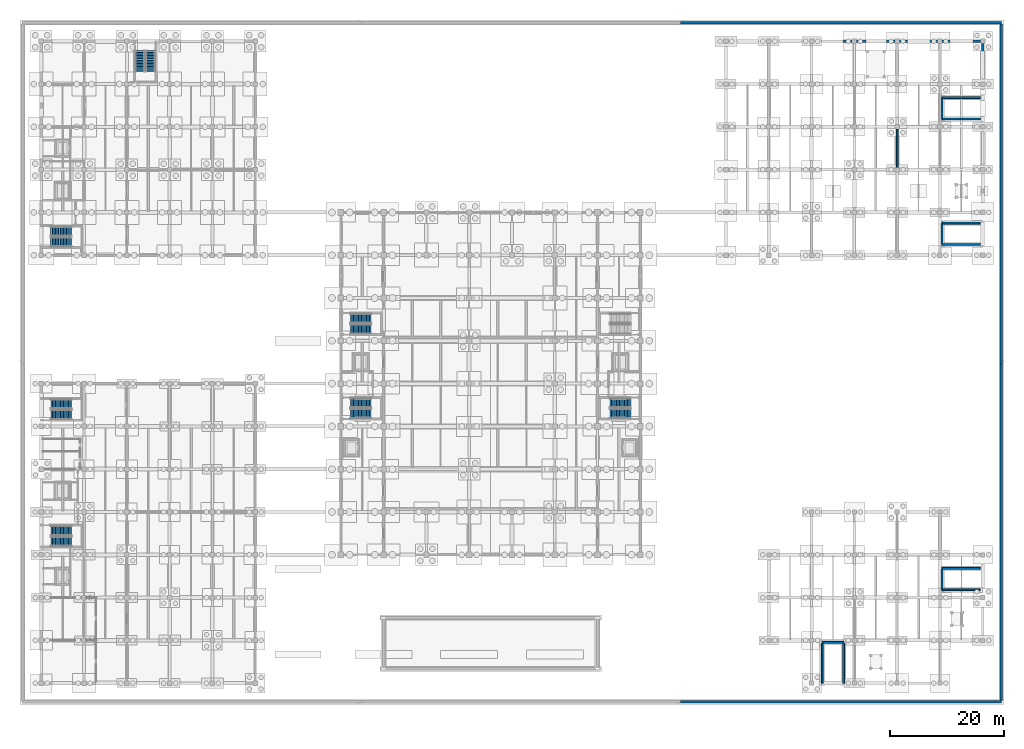
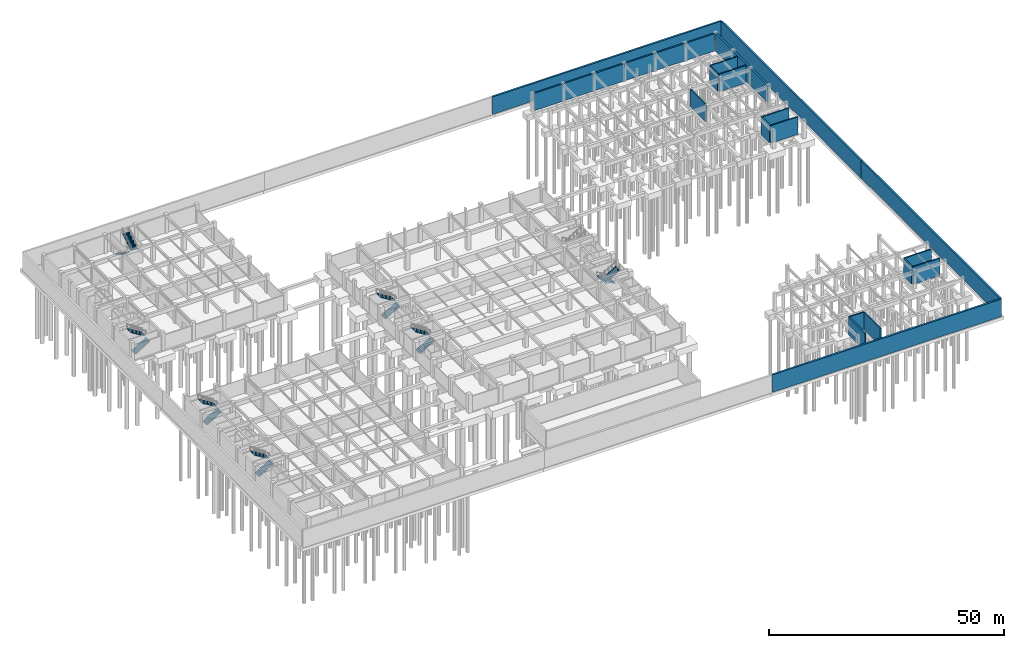
# One storey, part 28 of 38: 20 walls, 14 stair flights, 7 elements without a shape of their own.
"""IFC4 building model written with IfcOpenShell, lengths in metres."""

import ifcopenshell
import ifcopenshell.guid

model = None  # the IFC model being written
_history = None  # IfcOwnerHistory: only IFC2X3 demands one
_inside = {}  # id of a spatial element -> (the spatial element, [elements in it])
_under = {}  # id of a project, library or spatial element -> (it, [spatial elements below it])
_declared = {}  # id of a project -> (the project, [libraries it declares])
_typed = {}  # id of a type object -> (the type object, [elements of that type])
_made_of = {}  # id of a material, layer set ... -> (it, [elements and type objects made of it])


def new_model(schema):
    """Start an empty IFC model of exactly this schema.

    Asked for "IFC4X3", IfcOpenShell would pick the latest addendum, in which some entities
    have other attributes; the version numbers below select the first issue.
    IFC2X3 requires an IfcOwnerHistory on every rooted entity: one is made here for all.
    """
    global model, _history
    if schema == "IFC4X3":
        model = ifcopenshell.file(schema_version=(4, 3, 0, 0))
    else:
        model = ifcopenshell.file(schema=schema)
    _inside.clear()
    _under.clear()
    _declared.clear()
    _typed.clear()
    _made_of.clear()
    _history = None
    if model.schema == "IFC2X3":
        org = make("IfcOrganization", Name="unknown")
        user = make(
            "IfcPersonAndOrganization",
            ThePerson=make("IfcPerson", FamilyName="unknown"),
            TheOrganization=org,
        )
        app = make(
            "IfcApplication",
            ApplicationDeveloper=org,
            Version="unknown",
            ApplicationFullName="unknown",
            ApplicationIdentifier="unknown",
        )
        _history = make(
            "IfcOwnerHistory",
            OwningUser=user,
            OwningApplication=app,
            ChangeAction="ADDED",
            CreationDate=0,
        )
    return model


def make(cls, **values):
    """One entity of the class cls with the attributes given. An attribute that is None is left unset."""
    return model.create_entity(
        cls, **{name: value for name, value in values.items() if value is not None}
    )


def rooted(cls, **values):
    """An entity with a GlobalId (a new one), such as an element, a storey or a relation."""
    return make(cls, GlobalId=ifcopenshell.guid.new(), OwnerHistory=_history, **values)


def si_unit(unit_type, name, prefix=None):
    """IfcSIUnit, for example si_unit("LENGTHUNIT", "METRE", prefix="MILLI")."""
    return make("IfcSIUnit", UnitType=unit_type, Prefix=prefix, Name=name)


def assignment(units):
    """IfcUnitAssignment: the units of a project."""
    return None if units is None else make("IfcUnitAssignment", Units=units)


def point(xyz):
    """IfcCartesianPoint."""
    return None if xyz is None else make("IfcCartesianPoint", Coordinates=xyz)


def direction(xyz):
    """IfcDirection."""
    return None if xyz is None else make("IfcDirection", DirectionRatios=xyz)


def frame(location, z_axis=None, x_axis=None):
    """IfcAxis2Placement3D, a coordinate frame: its origin and axes. An axis left out is left unset."""
    return make(
        "IfcAxis2Placement3D",
        Location=point(location),
        Axis=direction(z_axis),
        RefDirection=direction(x_axis),
    )


def frame_2d(location, x_axis=None):
    """IfcAxis2Placement2D, a coordinate frame in the plane: its origin and x axis."""
    return make(
        "IfcAxis2Placement2D", Location=point(location), RefDirection=direction(x_axis)
    )


def origin():
    """The frame at (0, 0, 0) with its axes left unset."""
    return frame((0.0, 0.0, 0.0))


def place(relative_to, where):
    """IfcLocalPlacement: puts the frame where relative to a parent placement (None: the world)."""
    return make(
        "IfcLocalPlacement", PlacementRelTo=relative_to, RelativePlacement=where
    )


def context(
    kind, dimensions, precision=None, world=None, true_north=None, identifier=None
):
    """IfcGeometricRepresentationContext, for example the 3D "Model" context."""
    return make(
        "IfcGeometricRepresentationContext",
        ContextIdentifier=identifier,
        ContextType=kind,
        CoordinateSpaceDimension=dimensions,
        Precision=precision,
        WorldCoordinateSystem=world,
        TrueNorth=true_north,
    )


def subcontext(parent, identifier, kind, view, scale=None):
    """IfcGeometricRepresentationSubContext, for example "Body" below "Model"."""
    return make(
        "IfcGeometricRepresentationSubContext",
        ContextIdentifier=identifier,
        ContextType=kind,
        ParentContext=parent,
        TargetScale=scale,
        TargetView=view,
    )


def project(units=None, contexts=None):
    """IfcProject with its units and contexts."""
    return rooted(
        "IfcProject",
        Name="project",
        RepresentationContexts=contexts,
        UnitsInContext=assignment(units),
    )


def spatial(cls, under=None, at=None, **own):
    """A site, building, storey or space (cls), placed at a placement, below another one or the project."""
    s = rooted(cls, ObjectPlacement=at, **own)
    if under is not None:
        _under.setdefault(under.id(), (under, []))[1].append(s)
    return s


def polyline(points):
    """IfcPolyline through the points."""
    return make("IfcPolyline", Points=[point(p) for p in points])


def profile(cls, at=None, kind="AREA", **sizes):
    """A parametric profile (cls). Its sizes go by their IFC names, for example OverallWidth=200.0."""
    return make(cls, ProfileType=kind, Position=at, **sizes)


def rectangle(**sizes):
    """IfcRectangleProfileDef."""
    return profile("IfcRectangleProfileDef", **sizes)


def outline(outer, holes=None, kind="AREA"):
    """IfcArbitraryClosedProfileDef: a profile drawn as a closed curve; with holes, ...WithVoids."""
    if holes is None:
        return make("IfcArbitraryClosedProfileDef", ProfileType=kind, OuterCurve=outer)
    return make(
        "IfcArbitraryProfileDefWithVoids",
        ProfileType=kind,
        OuterCurve=outer,
        InnerCurves=holes,
    )


def extrude(swept, where, along, depth):
    """IfcExtrudedAreaSolid: the profile swept, set in the frame where, extruded along a direction by depth."""
    return make(
        "IfcExtrudedAreaSolid",
        SweptArea=swept,
        Position=where,
        ExtrudedDirection=direction(along),
        Depth=depth,
    )


def shape(context_of_items, identifier, shape_type, items):
    """IfcShapeRepresentation: the items that make up one representation, for example the "Body"."""
    return make(
        "IfcShapeRepresentation",
        ContextOfItems=context_of_items,
        RepresentationIdentifier=identifier,
        RepresentationType=shape_type,
        Items=items,
    )


def material(Name=None, Category=None):
    """IfcMaterial."""
    return make("IfcMaterial", Name=Name, Category=Category)


def layer(
    of_material, thickness, ventilated=None, Name=None, Category=None, Priority=None
):
    """IfcMaterialLayer: one layer of a wall or slab, of a material (None: an air gap)."""
    return make(
        "IfcMaterialLayer",
        Material=of_material,
        LayerThickness=thickness,
        IsVentilated=ventilated,
        Name=Name,
        Category=Category,
        Priority=Priority,
    )


def layer_set(layers, Name=None):
    """IfcMaterialLayerSet."""
    return make("IfcMaterialLayerSet", MaterialLayers=layers, LayerSetName=Name)


def made_of(thing, what):
    """Note that an element or type object is made of a material, layer set ...; save() writes the relation."""
    if what is not None:
        _made_of.setdefault(what.id(), (what, []))[1].append(thing)
    return thing


def type_object(cls, material=None, **own):
    """A type object (cls), such as IfcWallType, which elements share."""
    return made_of(rooted(cls, **own), material)


def element(
    cls,
    number,
    at=None,
    inside=None,
    cuts=None,
    type_object=None,
    material=None,
    context=None,
    identifier="Body",
    shape_type=None,
    held_by="IfcProductDefinitionShape",
    body=None,
    shapes=None,
    **own,
):
    """One element of the class cls, such as IfcWall. Its Tag is "e" and its number.

    at: its placement. inside: the storey or other place that contains it. cuts: it is an
    opening in that element (IfcRelVoidsElement). A single representation is given by context,
    identifier, shape_type and body (its items); several are given by shapes. held_by: the class
    of the entity that holds the representations. save() writes the other relations.
    """
    e = rooted(cls, Tag="e%d" % number, ObjectPlacement=at, **own)
    if body is not None:
        shapes = [shape(context, identifier, shape_type, body)]
    if shapes is not None:
        e.Representation = make(held_by, Representations=shapes)
    if inside is not None:
        _inside.setdefault(inside.id(), (inside, []))[1].append(e)
    if cuts is not None:
        rooted(
            "IfcRelVoidsElement", RelatingBuildingElement=cuts, RelatedOpeningElement=e
        )
    if type_object is not None:
        _typed.setdefault(type_object.id(), (type_object, []))[1].append(e)
    return made_of(e, material)


def aggregate(whole, parts):
    """IfcRelAggregates: a whole, such as a stair, and the parts it consists of."""
    return rooted("IfcRelAggregates", RelatingObject=whole, RelatedObjects=parts)


def save(model, path):
    """Write the relations noted so far, then the file.

    IfcRelAggregates (storeys below a building ...), IfcRelContainedInSpatialStructure (elements
    in a storey), IfcRelDefinesByType, IfcRelAssociatesMaterial and IfcRelDeclares: one each for
    every whole, place, type object, material and project.
    """
    for whole, parts in _under.values():
        aggregate(whole, parts)
    for where, things in _inside.values():
        rooted(
            "IfcRelContainedInSpatialStructure",
            RelatedElements=things,
            RelatingStructure=where,
        )
    for kind, things in _typed.values():
        rooted("IfcRelDefinesByType", RelatedObjects=things, RelatingType=kind)
    for what, things in _made_of.values():
        rooted("IfcRelAssociatesMaterial", RelatedObjects=things, RelatingMaterial=what)
    for by, libraries in _declared.values():
        rooted("IfcRelDeclares", RelatingContext=by, RelatedDefinitions=libraries)
    model.write(path)


model = new_model("IFC4")

# Units and contexts
model_context = context("Model", 3, precision=1e-05, world=origin(), true_north=direction((0.0, 1.0)))
body_context = subcontext(model_context, "Body", "Model", "MODEL_VIEW")
ifc_project = project(units=[si_unit("LENGTHUNIT", "METRE"), si_unit("AREAUNIT", "SQUARE_METRE"), si_unit("VOLUMEUNIT", "CUBIC_METRE"), si_unit("PLANEANGLEUNIT", "RADIAN"), si_unit("MASSUNIT", "GRAM", prefix="KILO")], contexts=[model_context])

# Site, building, storey
site_placement = place(None, origin())
site = spatial("IfcSite", under=ifc_project, at=site_placement, CompositionType="ELEMENT")
building_placement = place(site_placement, origin())
building = spatial("IfcBuilding", under=site, at=building_placement, Name="Qasida Concert Hall", CompositionType="ELEMENT")
storey_placement = place(building_placement, frame((0.0, 0.0, -4.800048828125)))
storey = spatial("IfcBuildingStorey", under=building, at=storey_placement, Name="B1", CompositionType="ELEMENT", Elevation=-4.800048828125)

# Walls
ifc_material = material(Name="Concrete C40/50", Category="concrete")
ifc_layer_1 = layer(ifc_material, 0.3798828125, Name="Concrete C40/50")
ifc_layer_set_1 = layer_set([ifc_layer_1], Name="Concrete C40/50")
wall_type_1 = type_object("IfcWallType", Name="WL-RW-380", PredefinedType="USERDEFINED", material=ifc_layer_set_1)
for number, where, z_axis, x_axis, name in (
    (1, (120.4150390625, 112.5, 0.0), (0.0, 0.0, 1.0), (1.0, 0.0, 0.0), "B1 retaining wall RW-380 009"),
    (2, (142.5, 112.5, 0.0), (0.0, 0.0, 1.0), (1.0, 0.0, 0.0), "B1 retaining wall RW-380 010"),
):
    element("IfcWall", number, at=place(storey_placement, frame(where, z_axis=z_axis, x_axis=x_axis)), inside=storey, type_object=wall_type_1, Name=name, ObjectType="RETAININGWALL", PredefinedType="USERDEFINED", context=body_context, shape_type="SweptSolid", body=[
        extrude(rectangle(XDim=22.0849609375, YDim=0.3798828125, at=frame_2d((11.04248046875, 0.0))), origin(), (0.0, 0.0, 1.0), 4.5),
    ])
ifc_layer_2 = layer(ifc_material, 0.449951171875, Name="Concrete C40/50")
ifc_layer_set_2 = layer_set([ifc_layer_2], Name="Concrete C40/50")
wall_type_2 = type_object("IfcWallType", Name="WL-RW-450", PredefinedType="USERDEFINED", material=ifc_layer_set_2)
wall_1_placement = place(storey_placement, frame((165.0, 90.0, 0.0), z_axis=(0.0, 0.0, 1.0), x_axis=(0.0, 1.0, 0.0)))
element("IfcWall", 3, at=wall_1_placement, inside=storey, type_object=wall_type_2, Name="B1 retaining wall RW-450 011", ObjectType="RETAININGWALL", PredefinedType="USERDEFINED", context=body_context, shape_type="SweptSolid", body=[
    extrude(rectangle(XDim=22.0849609375, YDim=0.449951171875, at=frame_2d((11.04248046875, 0.0))), origin(), (0.0, 0.0, 1.0), 4.5),
])
for number, where, z_axis, x_axis, name in (
    (4, (112.0, -3.27490234375, 0.0), (0.0, 0.0, 1.0), (1.0, 0.0, 0.0), "B1 civic plaza plinth retaining wall PLW-S3"),
    (5, (112.0, 115.77490234375, 0.0), (0.0, 0.0, 1.0), (1.0, 0.0, 0.0), "B1 civic plaza plinth retaining wall PLW-N3"),
):
    element("IfcWall", number, at=place(storey_placement, frame(where, z_axis=z_axis, x_axis=x_axis)), inside=storey, type_object=wall_type_2, Name=name, ObjectType="RETAININGWALL", PredefinedType="USERDEFINED", context=body_context, shape_type="SweptSolid", body=[
        extrude(rectangle(XDim=56.27490234375, YDim=0.449951171875, at=frame_2d((28.137451171875, 0.0))), origin(), (0.0, 0.0, 1.0), 4.550048828125),
    ])
wall_2_placement = place(storey_placement, frame((168.27490234375, -3.050048828125, 0.0), z_axis=(0.0, 0.0, 1.0), x_axis=(0.0, 1.0, 0.0)))
element("IfcWall", 6, at=wall_2_placement, inside=storey, type_object=wall_type_2, Name="B1 civic plaza plinth retaining wall PLW-E1", ObjectType="RETAININGWALL", PredefinedType="USERDEFINED", context=body_context, shape_type="SweptSolid", body=[
    extrude(rectangle(XDim=59.050048828125, YDim=0.449951171875, at=frame_2d((29.52490234375, 0.0))), origin(), (0.0, 0.0, 1.0), 4.550048828125),
])
wall_3_placement = place(storey_placement, frame((168.27490234375, 56.0, 0.0), z_axis=(0.0, 0.0, 1.0), x_axis=(0.0, 1.0, 0.0)))
element("IfcWall", 7, at=wall_3_placement, inside=storey, type_object=wall_type_2, Name="B1 civic plaza plinth retaining wall PLW-E2", ObjectType="RETAININGWALL", PredefinedType="USERDEFINED", context=body_context, shape_type="SweptSolid", body=[
    extrude(rectangle(XDim=59.550048828125, YDim=0.449951171875, at=frame_2d((29.77490234375, 0.0))), origin(), (0.0, 0.0, 1.0), 4.550048828125),
])
ifc_layer_3 = layer(ifc_material, 0.300048828125, Name="Concrete C40/50")
ifc_layer_set_3 = layer_set([ifc_layer_3], Name="Concrete C40/50")
wall_type_3 = type_object("IfcWallType", Name="WL-SW-300", PredefinedType="SHEAR", material=ifc_layer_set_3)
wall_4_placement = place(storey_placement, frame((150.0, 90.39990234375, 0.0), z_axis=(0.0, 0.0, 1.0), x_axis=(0.0, 1.0, 0.0)))
element("IfcWall", 8, at=wall_4_placement, inside=storey, type_object=wall_type_3, Name="B1 V4 rehearsal shear wall 0006", PredefinedType="SHEAR", context=body_context, shape_type="SweptSolid", body=[
    extrude(rectangle(XDim=6.7001953125, YDim=0.300048828125, at=frame_2d((3.35009765625, 0.0))), origin(), (0.0, 0.0, 1.0), 4.5),
])
ifc_layer_4 = layer(ifc_material, 0.320068359375, Name="Concrete C40/50")
ifc_layer_set_4 = layer_set([ifc_layer_4], Name="Concrete C40/50")
wall_type_4 = type_object("IfcWallType", Name="WL-SW-320", PredefinedType="SHEAR", material=ifc_layer_set_4)
for number, where, z_axis, x_axis, name in (
    (9, (136.875, 0.0, 0.0), (0.0, 0.0, 1.0), (0.0, 1.0, 0.0), "B1 ST09 core bearing wall W"),
    (10, (140.625, 0.0, 0.0), (0.0, 0.0, 1.0), (0.0, 1.0, 0.0), "B1 ST09 core bearing wall E"),
):
    element("IfcWall", number, at=place(storey_placement, frame(where, z_axis=z_axis, x_axis=x_axis)), inside=storey, type_object=wall_type_4, Name=name, PredefinedType="SHEAR", context=body_context, shape_type="SweptSolid", body=[
        extrude(rectangle(XDim=7.02001953125, YDim=0.320068359375, at=frame_2d((3.510009765625, 0.0))), origin(), (0.0, 0.0, 1.0), 4.52001953125),
    ])
wall_5_placement = place(storey_placement, frame((136.8798828125, 7.14501953125, 0.0), z_axis=(0.0, 0.0, 1.0), x_axis=(1.0, 0.0, 0.0)))
element("IfcWall", 11, at=wall_5_placement, inside=storey, type_object=wall_type_4, Name="B1 ST09 core bearing wall N", PredefinedType="SHEAR", context=body_context, shape_type="SweptSolid", body=[
    extrude(rectangle(XDim=3.740234375, YDim=0.320068359375, at=frame_2d((1.8701171875, 0.0))), origin(), (0.0, 0.0, 1.0), 4.52001953125),
])
for number, where, z_axis, x_axis, name in (
    (12, (157.85009765625, 16.375, 0.0), (0.0, 0.0, 1.0), (1.0, 0.0, 0.0), "B1 ST10 core bearing wall S"),
    (13, (157.85009765625, 20.125, 0.0), (0.0, 0.0, 1.0), (1.0, 0.0, 0.0), "B1 ST10 core bearing wall N"),
):
    element("IfcWall", number, at=place(storey_placement, frame(where, z_axis=z_axis, x_axis=x_axis)), inside=storey, type_object=wall_type_4, Name=name, PredefinedType="SHEAR", context=body_context, shape_type="SweptSolid", body=[
        extrude(rectangle(XDim=6.699951171875, YDim=0.320068359375, at=frame_2d((3.35009765625, 0.0))), origin(), (0.0, 0.0, 1.0), 4.52001953125),
    ])
wall_6_placement = place(storey_placement, frame((157.85498046875, 16.5, 0.0), z_axis=(0.0, 0.0, 1.0), x_axis=(0.0, 1.0, 0.0)))
element("IfcWall", 14, at=wall_6_placement, inside=storey, type_object=wall_type_4, Name="B1 ST10 core bearing wall W", PredefinedType="SHEAR", context=body_context, shape_type="SweptSolid", body=[
    extrude(rectangle(XDim=3.5, YDim=0.320068359375, at=frame_2d((1.75, 0.0))), origin(), (0.0, 0.0, 1.0), 4.52001953125),
])
for number, where, z_axis, x_axis, name in (
    (15, (157.85009765625, 76.875, 0.0), (0.0, 0.0, 1.0), (1.0, 0.0, 0.0), "B1 ST-07 core bearing wall S"),
    (16, (157.85009765625, 80.625, 0.0), (0.0, 0.0, 1.0), (1.0, 0.0, 0.0), "B1 ST-07 core bearing wall N"),
):
    element("IfcWall", number, at=place(storey_placement, frame(where, z_axis=z_axis, x_axis=x_axis)), inside=storey, type_object=wall_type_4, Name=name, PredefinedType="SHEAR", context=body_context, shape_type="SweptSolid", body=[
        extrude(rectangle(XDim=6.699951171875, YDim=0.320068359375, at=frame_2d((3.35009765625, 0.0))), origin(), (0.0, 0.0, 1.0), 4.52001953125),
    ])
wall_7_placement = place(storey_placement, frame((157.85498046875, 77.0, 0.0), z_axis=(0.0, 0.0, 1.0), x_axis=(0.0, 1.0, 0.0)))
element("IfcWall", 17, at=wall_7_placement, inside=storey, type_object=wall_type_4, Name="B1 ST-07 core bearing wall W", PredefinedType="SHEAR", context=body_context, shape_type="SweptSolid", body=[
    extrude(rectangle(XDim=3.5, YDim=0.320068359375, at=frame_2d((1.75, 0.0))), origin(), (0.0, 0.0, 1.0), 4.52001953125),
])
for number, where, z_axis, x_axis, name in (
    (18, (157.85009765625, 98.875, 0.0), (0.0, 0.0, 1.0), (1.0, 0.0, 0.0), "B1 ST-08 core bearing wall S"),
    (19, (157.85009765625, 102.625, 0.0), (0.0, 0.0, 1.0), (1.0, 0.0, 0.0), "B1 ST-08 core bearing wall N"),
):
    element("IfcWall", number, at=place(storey_placement, frame(where, z_axis=z_axis, x_axis=x_axis)), inside=storey, type_object=wall_type_4, Name=name, PredefinedType="SHEAR", context=body_context, shape_type="SweptSolid", body=[
        extrude(rectangle(XDim=6.699951171875, YDim=0.320068359375, at=frame_2d((3.35009765625, 0.0))), origin(), (0.0, 0.0, 1.0), 4.52001953125),
    ])
wall_8_placement = place(storey_placement, frame((157.85498046875, 99.0, 0.0), z_axis=(0.0, 0.0, 1.0), x_axis=(0.0, 1.0, 0.0)))
element("IfcWall", 20, at=wall_8_placement, inside=storey, type_object=wall_type_4, Name="B1 ST-08 core bearing wall W", PredefinedType="SHEAR", context=body_context, shape_type="SweptSolid", body=[
    extrude(rectangle(XDim=3.5, YDim=0.320068359375, at=frame_2d((1.75, 0.0))), origin(), (0.0, 0.0, 1.0), 4.52001953125),
])

# Stair, stair flights
stair_type_1 = type_object("IfcStairType", Name="ST-DL-165", PredefinedType="HALF_TURN_STAIR", material=ifc_material)
stair_1_placement = place(storey_placement, origin())
stair_1 = element("IfcStair", 21, at=stair_1_placement, inside=storey, type_object=stair_type_1, Name="B1 Exit stair ST-05", PredefinedType="HALF_TURN_STAIR")
stair_flight_type_1 = type_object("IfcStairFlightType", Name="SF-DL-165", PredefinedType="STRAIGHT", material=ifc_material)
stair_flight_1_placement = place(storey_placement, frame((1.64990234375, 77.324951171875, 0.0), z_axis=(0.0, 0.0, 1.0), x_axis=(1.0, 0.0, 0.0)))
stair_flight_1 = element("IfcStairFlight", 22, at=stair_flight_1_placement, type_object=stair_flight_type_1, Name="ST-05 flight 1", NumberOfRisers=14, NumberOfTreads=13, PredefinedType="STRAIGHT", RiserHeight=0.171428571, TreadLength=0.28, context=body_context, shape_type="SweptSolid", body=[
    extrude(outline(polyline([(0.0, 0.0), (0.0, 0.17138671875), (0.280029296875, 0.17138671875), (0.280029296875, 0.3427734375), (0.56005859375, 0.3427734375), (0.56005859375, 0.514404296875), (0.840087890625, 0.514404296875), (0.840087890625, 0.685791015625), (1.1201171875, 0.685791015625), (1.1201171875, 0.857177734375), (1.39990234375, 0.857177734375), (1.39990234375, 1.028564453125), (1.679931640625, 1.028564453125), (1.679931640625, 1.199951171875), (1.9599609375, 1.199951171875), (1.9599609375, 1.371337890625), (2.239990234375, 1.371337890625), (2.239990234375, 1.54296875), (2.52001953125, 1.54296875), (2.52001953125, 1.71435546875), (2.800048828125, 1.71435546875), (2.800048828125, 1.8857421875), (3.080078125, 1.8857421875), (3.080078125, 2.05712890625), (3.360107421875, 2.05712890625), (3.360107421875, 2.228515625), (3.639892578125, 2.228515625), (3.639892578125, 2.39990234375), (3.639892578125, 2.041015625), (0.30615234375, 0.0), (0.0, 0.0)])), frame((0.0, 0.824951171875, 0.0), z_axis=(0.0, -1.0, 0.0), x_axis=(1.0, 0.0, 0.0)), (0.0, 0.0, 1.0), 1.64990234375),
])
stair_flight_2_placement = place(storey_placement, frame((5.2900390625, 79.175048828125, 2.400146484375), z_axis=(0.0, 0.0, 1.0), x_axis=(-1.0, 0.0, 0.0)))
stair_flight_2 = element("IfcStairFlight", 23, at=stair_flight_2_placement, type_object=stair_flight_type_1, Name="ST-05 flight 2", NumberOfRisers=14, NumberOfTreads=13, PredefinedType="STRAIGHT", RiserHeight=0.171428571, TreadLength=0.28, context=body_context, shape_type="SweptSolid", body=[
    extrude(outline(polyline([(0.0, 0.0), (0.0, 0.17138671875), (0.280029296875, 0.17138671875), (0.280029296875, 0.3427734375), (0.56005859375, 0.3427734375), (0.56005859375, 0.514404296875), (0.840087890625, 0.514404296875), (0.840087890625, 0.685791015625), (1.1201171875, 0.685791015625), (1.1201171875, 0.857177734375), (1.39990234375, 0.857177734375), (1.39990234375, 1.028564453125), (1.679931640625, 1.028564453125), (1.679931640625, 1.199951171875), (1.9599609375, 1.199951171875), (1.9599609375, 1.371337890625), (2.239990234375, 1.371337890625), (2.239990234375, 1.54296875), (2.52001953125, 1.54296875), (2.52001953125, 1.71435546875), (2.800048828125, 1.71435546875), (2.800048828125, 1.8857421875), (3.080078125, 1.8857421875), (3.080078125, 2.05712890625), (3.360107421875, 2.05712890625), (3.360107421875, 2.228515625), (3.639892578125, 2.228515625), (3.639892578125, 2.39990234375), (3.639892578125, 2.041015625), (0.30615234375, 0.0), (0.0, 0.0)])), frame((0.0, 0.824951171875, 0.0), z_axis=(0.0, -1.0, 0.0), x_axis=(1.0, 0.0, 0.0)), (0.0, 0.0, 1.0), 1.64990234375),
])
aggregate(stair_1, [stair_flight_1, stair_flight_2])

stair_2_placement = place(storey_placement, origin())
stair_2 = element("IfcStair", 24, at=stair_2_placement, inside=storey, type_object=stair_type_1, Name="B1 Exit stair ST-06", PredefinedType="HALF_TURN_STAIR")
stair_flight_3_placement = place(storey_placement, frame((17.324951171875, 110.85009765625, 0.0), z_axis=(0.0, 0.0, 1.0), x_axis=(0.0, -1.0, 0.0)))
stair_flight_3 = element("IfcStairFlight", 25, at=stair_flight_3_placement, type_object=stair_flight_type_1, Name="ST-06 flight 1", NumberOfRisers=14, NumberOfTreads=13, PredefinedType="STRAIGHT", RiserHeight=0.171428571, TreadLength=0.28, context=body_context, shape_type="SweptSolid", body=[
    extrude(outline(polyline([(0.0, 0.0), (0.0, 0.17138671875), (0.280029296875, 0.17138671875), (0.280029296875, 0.3427734375), (0.56005859375, 0.3427734375), (0.56005859375, 0.514404296875), (0.840087890625, 0.514404296875), (0.840087890625, 0.685791015625), (1.1201171875, 0.685791015625), (1.1201171875, 0.857177734375), (1.39990234375, 0.857177734375), (1.39990234375, 1.028564453125), (1.679931640625, 1.028564453125), (1.679931640625, 1.199951171875), (1.9599609375, 1.199951171875), (1.9599609375, 1.371337890625), (2.239990234375, 1.371337890625), (2.239990234375, 1.54296875), (2.52001953125, 1.54296875), (2.52001953125, 1.71435546875), (2.800048828125, 1.71435546875), (2.800048828125, 1.8857421875), (3.080078125, 1.8857421875), (3.080078125, 2.05712890625), (3.360107421875, 2.05712890625), (3.360107421875, 2.228515625), (3.639892578125, 2.228515625), (3.639892578125, 2.39990234375), (3.639892578125, 2.041015625), (0.30615234375, 0.0), (0.0, 0.0)])), frame((0.0, 0.824951171875, 0.0), z_axis=(0.0, -1.0, 0.0), x_axis=(1.0, 0.0, 0.0)), (0.0, 0.0, 1.0), 1.64990234375),
])
stair_flight_4_placement = place(storey_placement, frame((19.175048828125, 107.2099609375, 2.400146484375), z_axis=(0.0, 0.0, 1.0), x_axis=(0.0, 1.0, 0.0)))
stair_flight_4 = element("IfcStairFlight", 26, at=stair_flight_4_placement, type_object=stair_flight_type_1, Name="ST-06 flight 2", NumberOfRisers=14, NumberOfTreads=13, PredefinedType="STRAIGHT", RiserHeight=0.171428571, TreadLength=0.28, context=body_context, shape_type="SweptSolid", body=[
    extrude(outline(polyline([(0.0, 0.0), (0.0, 0.17138671875), (0.280029296875, 0.17138671875), (0.280029296875, 0.3427734375), (0.56005859375, 0.3427734375), (0.56005859375, 0.514404296875), (0.840087890625, 0.514404296875), (0.840087890625, 0.685791015625), (1.1201171875, 0.685791015625), (1.1201171875, 0.857177734375), (1.39990234375, 0.857177734375), (1.39990234375, 1.028564453125), (1.679931640625, 1.028564453125), (1.679931640625, 1.199951171875), (1.9599609375, 1.199951171875), (1.9599609375, 1.371337890625), (2.239990234375, 1.371337890625), (2.239990234375, 1.54296875), (2.52001953125, 1.54296875), (2.52001953125, 1.71435546875), (2.800048828125, 1.71435546875), (2.800048828125, 1.8857421875), (3.080078125, 1.8857421875), (3.080078125, 2.05712890625), (3.360107421875, 2.05712890625), (3.360107421875, 2.228515625), (3.639892578125, 2.228515625), (3.639892578125, 2.39990234375), (3.639892578125, 2.041015625), (0.30615234375, 0.0), (0.0, 0.0)])), frame((0.0, 0.824951171875, 0.0), z_axis=(0.0, -1.0, 0.0), x_axis=(1.0, 0.0, 0.0)), (0.0, 0.0, 1.0), 1.64990234375),
])
aggregate(stair_2, [stair_flight_3, stair_flight_4])

stair_type_2 = type_object("IfcStairType", Name="ST-DL-168", PredefinedType="HALF_TURN_STAIR", material=ifc_material)
stair_3_placement = place(storey_placement, origin())
stair_3 = element("IfcStair", 27, at=stair_3_placement, inside=storey, type_object=stair_type_2, Name="B1 Exit stair ST-01", PredefinedType="HALF_TURN_STAIR")
stair_flight_type_2 = type_object("IfcStairFlightType", Name="SF-DL-168", PredefinedType="STRAIGHT", material=ifc_material)
stair_flight_5_placement = place(storey_placement, frame((54.179931640625, 47.239990234375, 0.0), z_axis=(0.0, 0.0, 1.0), x_axis=(1.0, 0.0, 0.0)))
stair_flight_5 = element("IfcStairFlight", 28, at=stair_flight_5_placement, type_object=stair_flight_type_2, Name="ST-01 flight 1", NumberOfRisers=14, NumberOfTreads=13, PredefinedType="STRAIGHT", RiserHeight=0.171428571, TreadLength=0.28, context=body_context, shape_type="SweptSolid", body=[
    extrude(outline(polyline([(0.0, 0.0), (0.0, 0.17138671875), (0.280029296875, 0.17138671875), (0.280029296875, 0.3427734375), (0.56005859375, 0.3427734375), (0.56005859375, 0.514404296875), (0.840087890625, 0.514404296875), (0.840087890625, 0.685791015625), (1.1201171875, 0.685791015625), (1.1201171875, 0.857177734375), (1.39990234375, 0.857177734375), (1.39990234375, 1.028564453125), (1.679931640625, 1.028564453125), (1.679931640625, 1.199951171875), (1.9599609375, 1.199951171875), (1.9599609375, 1.371337890625), (2.239990234375, 1.371337890625), (2.239990234375, 1.54296875), (2.52001953125, 1.54296875), (2.52001953125, 1.71435546875), (2.800048828125, 1.71435546875), (2.800048828125, 1.8857421875), (3.080078125, 1.8857421875), (3.080078125, 2.05712890625), (3.360107421875, 2.05712890625), (3.360107421875, 2.228515625), (3.639892578125, 2.228515625), (3.639892578125, 2.39990234375), (3.639892578125, 2.041015625), (0.30615234375, 0.0), (0.0, 0.0)])), frame((0.0, 0.83984375, 0.0), z_axis=(0.0, -1.0, 0.0), x_axis=(1.0, 0.0, 0.0)), (0.0, 0.0, 1.0), 1.679931640625),
])
stair_flight_6_placement = place(storey_placement, frame((57.820068359375, 49.1201171875, 2.400146484375), z_axis=(0.0, 0.0, 1.0), x_axis=(-1.0, 0.0, 0.0)))
stair_flight_6 = element("IfcStairFlight", 29, at=stair_flight_6_placement, type_object=stair_flight_type_2, Name="ST-01 flight 2", NumberOfRisers=14, NumberOfTreads=13, PredefinedType="STRAIGHT", RiserHeight=0.171428571, TreadLength=0.28, context=body_context, shape_type="SweptSolid", body=[
    extrude(outline(polyline([(0.0, 0.0), (0.0, 0.17138671875), (0.280029296875, 0.17138671875), (0.280029296875, 0.3427734375), (0.56005859375, 0.3427734375), (0.56005859375, 0.514404296875), (0.840087890625, 0.514404296875), (0.840087890625, 0.685791015625), (1.1201171875, 0.685791015625), (1.1201171875, 0.857177734375), (1.39990234375, 0.857177734375), (1.39990234375, 1.028564453125), (1.679931640625, 1.028564453125), (1.679931640625, 1.199951171875), (1.9599609375, 1.199951171875), (1.9599609375, 1.371337890625), (2.239990234375, 1.371337890625), (2.239990234375, 1.54296875), (2.52001953125, 1.54296875), (2.52001953125, 1.71435546875), (2.800048828125, 1.71435546875), (2.800048828125, 1.8857421875), (3.080078125, 1.8857421875), (3.080078125, 2.05712890625), (3.360107421875, 2.05712890625), (3.360107421875, 2.228515625), (3.639892578125, 2.228515625), (3.639892578125, 2.39990234375), (3.639892578125, 2.041015625), (0.30615234375, 0.0), (0.0, 0.0)])), frame((0.0, 0.83984375, 0.0), z_axis=(0.0, -1.0, 0.0), x_axis=(1.0, 0.0, 0.0)), (0.0, 0.0, 1.0), 1.679931640625),
])
aggregate(stair_3, [stair_flight_5, stair_flight_6])

stair_4_placement = place(storey_placement, origin())
stair_4 = element("IfcStair", 30, at=stair_4_placement, inside=storey, type_object=stair_type_2, Name="B1 Exit stair ST-02", PredefinedType="HALF_TURN_STAIR")
stair_flight_7_placement = place(storey_placement, frame((103.320068359375, 49.1201171875, 0.0), z_axis=(0.0, 0.0, 1.0), x_axis=(-1.0, 0.0, 0.0)))
stair_flight_7 = element("IfcStairFlight", 31, at=stair_flight_7_placement, type_object=stair_flight_type_2, Name="ST-02 flight 1", NumberOfRisers=14, NumberOfTreads=13, PredefinedType="STRAIGHT", RiserHeight=0.171428571, TreadLength=0.28, context=body_context, shape_type="SweptSolid", body=[
    extrude(outline(polyline([(0.0, 0.0), (0.0, 0.17138671875), (0.280029296875, 0.17138671875), (0.280029296875, 0.3427734375), (0.56005859375, 0.3427734375), (0.56005859375, 0.514404296875), (0.840087890625, 0.514404296875), (0.840087890625, 0.685791015625), (1.1201171875, 0.685791015625), (1.1201171875, 0.857177734375), (1.39990234375, 0.857177734375), (1.39990234375, 1.028564453125), (1.679931640625, 1.028564453125), (1.679931640625, 1.199951171875), (1.9599609375, 1.199951171875), (1.9599609375, 1.371337890625), (2.239990234375, 1.371337890625), (2.239990234375, 1.54296875), (2.52001953125, 1.54296875), (2.52001953125, 1.71435546875), (2.800048828125, 1.71435546875), (2.800048828125, 1.8857421875), (3.080078125, 1.8857421875), (3.080078125, 2.05712890625), (3.360107421875, 2.05712890625), (3.360107421875, 2.228515625), (3.639892578125, 2.228515625), (3.639892578125, 2.39990234375), (3.639892578125, 2.041015625), (0.30615234375, 0.0), (0.0, 0.0)])), frame((0.0, 0.83984375, 0.0), z_axis=(0.0, -1.0, 0.0), x_axis=(1.0, 0.0, 0.0)), (0.0, 0.0, 1.0), 1.679931640625),
])
stair_flight_8_placement = place(storey_placement, frame((99.679931640625, 47.239990234375, 2.400146484375), z_axis=(0.0, 0.0, 1.0), x_axis=(1.0, 0.0, 0.0)))
stair_flight_8 = element("IfcStairFlight", 32, at=stair_flight_8_placement, type_object=stair_flight_type_2, Name="ST-02 flight 2", NumberOfRisers=14, NumberOfTreads=13, PredefinedType="STRAIGHT", RiserHeight=0.171428571, TreadLength=0.28, context=body_context, shape_type="SweptSolid", body=[
    extrude(outline(polyline([(0.0, 0.0), (0.0, 0.17138671875), (0.280029296875, 0.17138671875), (0.280029296875, 0.3427734375), (0.56005859375, 0.3427734375), (0.56005859375, 0.514404296875), (0.840087890625, 0.514404296875), (0.840087890625, 0.685791015625), (1.1201171875, 0.685791015625), (1.1201171875, 0.857177734375), (1.39990234375, 0.857177734375), (1.39990234375, 1.028564453125), (1.679931640625, 1.028564453125), (1.679931640625, 1.199951171875), (1.9599609375, 1.199951171875), (1.9599609375, 1.371337890625), (2.239990234375, 1.371337890625), (2.239990234375, 1.54296875), (2.52001953125, 1.54296875), (2.52001953125, 1.71435546875), (2.800048828125, 1.71435546875), (2.800048828125, 1.8857421875), (3.080078125, 1.8857421875), (3.080078125, 2.05712890625), (3.360107421875, 2.05712890625), (3.360107421875, 2.228515625), (3.639892578125, 2.228515625), (3.639892578125, 2.39990234375), (3.639892578125, 2.041015625), (0.30615234375, 0.0), (0.0, 0.0)])), frame((0.0, 0.83984375, 0.0), z_axis=(0.0, -1.0, 0.0), x_axis=(1.0, 0.0, 0.0)), (0.0, 0.0, 1.0), 1.679931640625),
])
aggregate(stair_4, [stair_flight_7, stair_flight_8])

stair_5_placement = place(storey_placement, origin())
stair_5 = element("IfcStair", 33, at=stair_5_placement, inside=storey, type_object=stair_type_2, Name="B1 Exit stair ST-03", PredefinedType="HALF_TURN_STAIR")
stair_flight_9_placement = place(storey_placement, frame((1.679931640625, 24.840087890625, 0.0), z_axis=(0.0, 0.0, 1.0), x_axis=(1.0, 0.0, 0.0)))
stair_flight_9 = element("IfcStairFlight", 34, at=stair_flight_9_placement, type_object=stair_flight_type_2, Name="ST-03 flight 1", NumberOfRisers=14, NumberOfTreads=13, PredefinedType="STRAIGHT", RiserHeight=0.171428571, TreadLength=0.28, context=body_context, shape_type="SweptSolid", body=[
    extrude(outline(polyline([(0.0, 0.0), (0.0, 0.17138671875), (0.280029296875, 0.17138671875), (0.280029296875, 0.3427734375), (0.56005859375, 0.3427734375), (0.56005859375, 0.514404296875), (0.840087890625, 0.514404296875), (0.840087890625, 0.685791015625), (1.1201171875, 0.685791015625), (1.1201171875, 0.857177734375), (1.39990234375, 0.857177734375), (1.39990234375, 1.028564453125), (1.679931640625, 1.028564453125), (1.679931640625, 1.199951171875), (1.9599609375, 1.199951171875), (1.9599609375, 1.371337890625), (2.239990234375, 1.371337890625), (2.239990234375, 1.54296875), (2.52001953125, 1.54296875), (2.52001953125, 1.71435546875), (2.800048828125, 1.71435546875), (2.800048828125, 1.8857421875), (3.080078125, 1.8857421875), (3.080078125, 2.05712890625), (3.360107421875, 2.05712890625), (3.360107421875, 2.228515625), (3.639892578125, 2.228515625), (3.639892578125, 2.39990234375), (3.639892578125, 2.041015625), (0.30615234375, 0.0), (0.0, 0.0)])), frame((0.0, 0.83984375, 0.0), z_axis=(0.0, -1.0, 0.0), x_axis=(1.0, 0.0, 0.0)), (0.0, 0.0, 1.0), 1.679931640625),
])
stair_flight_10_placement = place(storey_placement, frame((5.320068359375, 26.719970703125, 2.400146484375), z_axis=(0.0, 0.0, 1.0), x_axis=(-1.0, 0.0, 0.0)))
stair_flight_10 = element("IfcStairFlight", 35, at=stair_flight_10_placement, type_object=stair_flight_type_2, Name="ST-03 flight 2", NumberOfRisers=14, NumberOfTreads=13, PredefinedType="STRAIGHT", RiserHeight=0.171428571, TreadLength=0.28, context=body_context, shape_type="SweptSolid", body=[
    extrude(outline(polyline([(0.0, 0.0), (0.0, 0.17138671875), (0.280029296875, 0.17138671875), (0.280029296875, 0.3427734375), (0.56005859375, 0.3427734375), (0.56005859375, 0.514404296875), (0.840087890625, 0.514404296875), (0.840087890625, 0.685791015625), (1.1201171875, 0.685791015625), (1.1201171875, 0.857177734375), (1.39990234375, 0.857177734375), (1.39990234375, 1.028564453125), (1.679931640625, 1.028564453125), (1.679931640625, 1.199951171875), (1.9599609375, 1.199951171875), (1.9599609375, 1.371337890625), (2.239990234375, 1.371337890625), (2.239990234375, 1.54296875), (2.52001953125, 1.54296875), (2.52001953125, 1.71435546875), (2.800048828125, 1.71435546875), (2.800048828125, 1.8857421875), (3.080078125, 1.8857421875), (3.080078125, 2.05712890625), (3.360107421875, 2.05712890625), (3.360107421875, 2.228515625), (3.639892578125, 2.228515625), (3.639892578125, 2.39990234375), (3.639892578125, 2.041015625), (0.30615234375, 0.0), (0.0, 0.0)])), frame((0.0, 0.83984375, 0.0), z_axis=(0.0, -1.0, 0.0), x_axis=(1.0, 0.0, 0.0)), (0.0, 0.0, 1.0), 1.679931640625),
])
aggregate(stair_5, [stair_flight_9, stair_flight_10])

stair_6_placement = place(storey_placement, origin())
stair_6 = element("IfcStair", 36, at=stair_6_placement, inside=storey, type_object=stair_type_2, Name="B1 Exit stair ST-04", PredefinedType="HALF_TURN_STAIR")
stair_flight_11_placement = place(storey_placement, frame((1.679931640625, 47.0400390625, 0.0), z_axis=(0.0, 0.0, 1.0), x_axis=(1.0, 0.0, 0.0)))
stair_flight_11 = element("IfcStairFlight", 37, at=stair_flight_11_placement, type_object=stair_flight_type_2, Name="ST-04 flight 1", NumberOfRisers=14, NumberOfTreads=13, PredefinedType="STRAIGHT", RiserHeight=0.171428571, TreadLength=0.28, context=body_context, shape_type="SweptSolid", body=[
    extrude(outline(polyline([(0.0, 0.0), (0.0, 0.17138671875), (0.280029296875, 0.17138671875), (0.280029296875, 0.3427734375), (0.56005859375, 0.3427734375), (0.56005859375, 0.514404296875), (0.840087890625, 0.514404296875), (0.840087890625, 0.685791015625), (1.1201171875, 0.685791015625), (1.1201171875, 0.857177734375), (1.39990234375, 0.857177734375), (1.39990234375, 1.028564453125), (1.679931640625, 1.028564453125), (1.679931640625, 1.199951171875), (1.9599609375, 1.199951171875), (1.9599609375, 1.371337890625), (2.239990234375, 1.371337890625), (2.239990234375, 1.54296875), (2.52001953125, 1.54296875), (2.52001953125, 1.71435546875), (2.800048828125, 1.71435546875), (2.800048828125, 1.8857421875), (3.080078125, 1.8857421875), (3.080078125, 2.05712890625), (3.360107421875, 2.05712890625), (3.360107421875, 2.228515625), (3.639892578125, 2.228515625), (3.639892578125, 2.39990234375), (3.639892578125, 2.041015625), (0.30615234375, 0.0), (0.0, 0.0)])), frame((0.0, 0.83984375, 0.0), z_axis=(0.0, -1.0, 0.0), x_axis=(1.0, 0.0, 0.0)), (0.0, 0.0, 1.0), 1.679931640625),
])
stair_flight_12_placement = place(storey_placement, frame((5.320068359375, 48.919921875, 2.400146484375), z_axis=(0.0, 0.0, 1.0), x_axis=(-1.0, 0.0, 0.0)))
stair_flight_12 = element("IfcStairFlight", 38, at=stair_flight_12_placement, type_object=stair_flight_type_2, Name="ST-04 flight 2", NumberOfRisers=14, NumberOfTreads=13, PredefinedType="STRAIGHT", RiserHeight=0.171428571, TreadLength=0.28, context=body_context, shape_type="SweptSolid", body=[
    extrude(outline(polyline([(0.0, 0.0), (0.0, 0.17138671875), (0.280029296875, 0.17138671875), (0.280029296875, 0.3427734375), (0.56005859375, 0.3427734375), (0.56005859375, 0.514404296875), (0.840087890625, 0.514404296875), (0.840087890625, 0.685791015625), (1.1201171875, 0.685791015625), (1.1201171875, 0.857177734375), (1.39990234375, 0.857177734375), (1.39990234375, 1.028564453125), (1.679931640625, 1.028564453125), (1.679931640625, 1.199951171875), (1.9599609375, 1.199951171875), (1.9599609375, 1.371337890625), (2.239990234375, 1.371337890625), (2.239990234375, 1.54296875), (2.52001953125, 1.54296875), (2.52001953125, 1.71435546875), (2.800048828125, 1.71435546875), (2.800048828125, 1.8857421875), (3.080078125, 1.8857421875), (3.080078125, 2.05712890625), (3.360107421875, 2.05712890625), (3.360107421875, 2.228515625), (3.639892578125, 2.228515625), (3.639892578125, 2.39990234375), (3.639892578125, 2.041015625), (0.30615234375, 0.0), (0.0, 0.0)])), frame((0.0, 0.83984375, 0.0), z_axis=(0.0, -1.0, 0.0), x_axis=(1.0, 0.0, 0.0)), (0.0, 0.0, 1.0), 1.679931640625),
])
aggregate(stair_6, [stair_flight_11, stair_flight_12])

stair_7_placement = place(storey_placement, origin())
stair_7 = element("IfcStair", 39, at=stair_7_placement, inside=storey, type_object=stair_type_2, Name="B1 Exit stair ST-11", PredefinedType="HALF_TURN_STAIR")
stair_flight_13_placement = place(storey_placement, frame((54.179931640625, 62.0400390625, 0.0), z_axis=(0.0, 0.0, 1.0), x_axis=(1.0, 0.0, 0.0)))
stair_flight_13 = element("IfcStairFlight", 40, at=stair_flight_13_placement, type_object=stair_flight_type_2, Name="ST-11 flight 1", NumberOfRisers=14, NumberOfTreads=13, PredefinedType="STRAIGHT", RiserHeight=0.171428571, TreadLength=0.28, context=body_context, shape_type="SweptSolid", body=[
    extrude(outline(polyline([(0.0, 0.0), (0.0, 0.17138671875), (0.280029296875, 0.17138671875), (0.280029296875, 0.3427734375), (0.56005859375, 0.3427734375), (0.56005859375, 0.514404296875), (0.840087890625, 0.514404296875), (0.840087890625, 0.685791015625), (1.1201171875, 0.685791015625), (1.1201171875, 0.857177734375), (1.39990234375, 0.857177734375), (1.39990234375, 1.028564453125), (1.679931640625, 1.028564453125), (1.679931640625, 1.199951171875), (1.9599609375, 1.199951171875), (1.9599609375, 1.371337890625), (2.239990234375, 1.371337890625), (2.239990234375, 1.54296875), (2.52001953125, 1.54296875), (2.52001953125, 1.71435546875), (2.800048828125, 1.71435546875), (2.800048828125, 1.8857421875), (3.080078125, 1.8857421875), (3.080078125, 2.05712890625), (3.360107421875, 2.05712890625), (3.360107421875, 2.228515625), (3.639892578125, 2.228515625), (3.639892578125, 2.39990234375), (3.639892578125, 2.041015625), (0.30615234375, 0.0), (0.0, 0.0)])), frame((0.0, 0.83984375, 0.0), z_axis=(0.0, -1.0, 0.0), x_axis=(1.0, 0.0, 0.0)), (0.0, 0.0, 1.0), 1.679931640625),
])
stair_flight_14_placement = place(storey_placement, frame((57.820068359375, 63.919921875, 2.400146484375), z_axis=(0.0, 0.0, 1.0), x_axis=(-1.0, 0.0, 0.0)))
stair_flight_14 = element("IfcStairFlight", 41, at=stair_flight_14_placement, type_object=stair_flight_type_2, Name="ST-11 flight 2", NumberOfRisers=14, NumberOfTreads=13, PredefinedType="STRAIGHT", RiserHeight=0.171428571, TreadLength=0.28, context=body_context, shape_type="SweptSolid", body=[
    extrude(outline(polyline([(0.0, 0.0), (0.0, 0.17138671875), (0.280029296875, 0.17138671875), (0.280029296875, 0.3427734375), (0.56005859375, 0.3427734375), (0.56005859375, 0.514404296875), (0.840087890625, 0.514404296875), (0.840087890625, 0.685791015625), (1.1201171875, 0.685791015625), (1.1201171875, 0.857177734375), (1.39990234375, 0.857177734375), (1.39990234375, 1.028564453125), (1.679931640625, 1.028564453125), (1.679931640625, 1.199951171875), (1.9599609375, 1.199951171875), (1.9599609375, 1.371337890625), (2.239990234375, 1.371337890625), (2.239990234375, 1.54296875), (2.52001953125, 1.54296875), (2.52001953125, 1.71435546875), (2.800048828125, 1.71435546875), (2.800048828125, 1.8857421875), (3.080078125, 1.8857421875), (3.080078125, 2.05712890625), (3.360107421875, 2.05712890625), (3.360107421875, 2.228515625), (3.639892578125, 2.228515625), (3.639892578125, 2.39990234375), (3.639892578125, 2.041015625), (0.30615234375, 0.0), (0.0, 0.0)])), frame((0.0, 0.83984375, 0.0), z_axis=(0.0, -1.0, 0.0), x_axis=(1.0, 0.0, 0.0)), (0.0, 0.0, 1.0), 1.679931640625),
])
aggregate(stair_7, [stair_flight_13, stair_flight_14])

save(model, "model.ifc")
